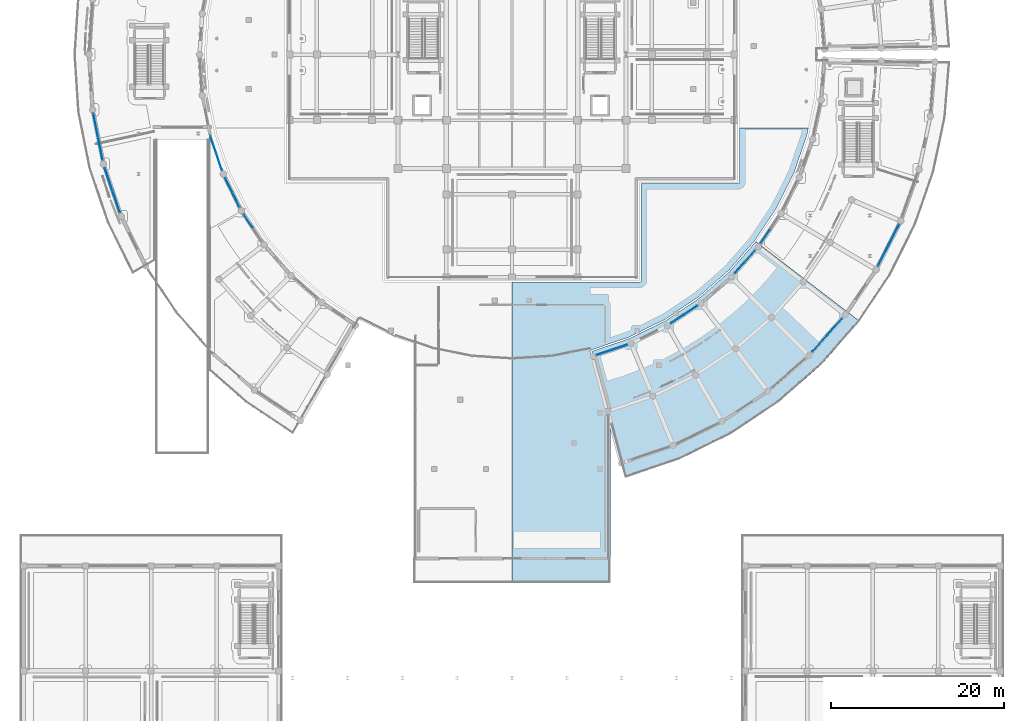
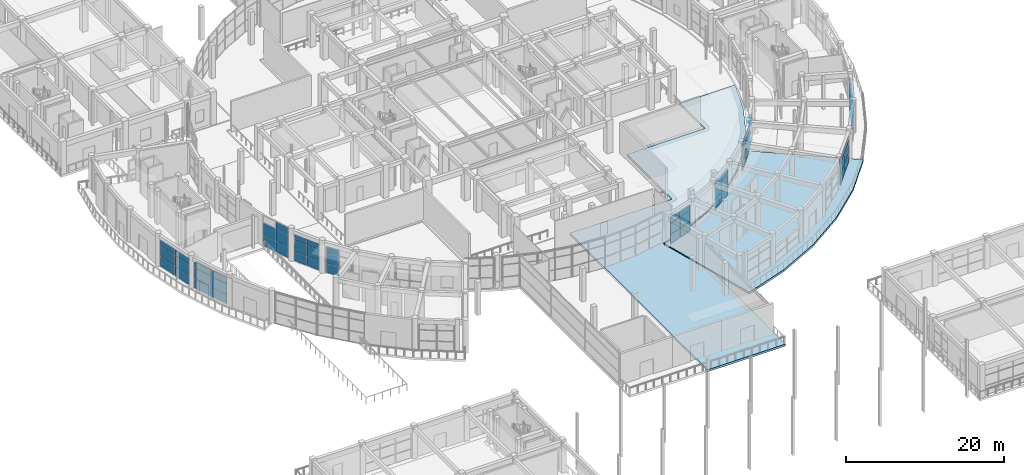
# One storey, part 57 of 99: 59 plates, 2 slabs, 11 elements without a shape of their own.
"""IFC4 building model written with IfcOpenShell, lengths in metres."""

from ifc_helpers import new_model, si_unit, direction, frame, origin, origin_2d, place, context, subcontext, project, spatial, polyline, rectangle, outline, extrude, material, layer, layer_set, type_object, element, aggregate, save


model = new_model("IFC4")

# Units and contexts
model_context = context("Model", 3, precision=1e-05, world=origin(), true_north=direction((0.0, 1.0)))
body_context = subcontext(model_context, "Body", "Model", "MODEL_VIEW")
ifc_project = project(units=[si_unit("LENGTHUNIT", "METRE"), si_unit("AREAUNIT", "SQUARE_METRE"), si_unit("VOLUMEUNIT", "CUBIC_METRE"), si_unit("PLANEANGLEUNIT", "RADIAN"), si_unit("MASSUNIT", "GRAM", prefix="KILO")], contexts=[model_context])

# Site, building, storey
site_placement = place(None, origin())
site = spatial("IfcSite", under=ifc_project, at=site_placement, CompositionType="ELEMENT")
building_placement = place(site_placement, origin())
building = spatial("IfcBuilding", under=site, at=building_placement, Name="Saryqyr Civic Hall", CompositionType="ELEMENT")
storey_placement = place(building_placement, origin())
storey = spatial("IfcBuildingStorey", under=building, at=storey_placement, Name="L00", CompositionType="ELEMENT", Elevation=0.0)

# Curtain wall, plates
ifc_material_1 = material(Name="Anodised aluminium and triple low-E glass", Category="aluminium")
curtain_wall_type_1 = type_object("IfcCurtainWallType", Name="ENV-CW-STD-04", PredefinedType="NOTDEFINED", material=ifc_material_1)
curtain_wall_1_placement = place(storey_placement, origin())
curtain_wall_1 = element("IfcCurtainWall", 1, at=curtain_wall_1_placement, inside=storey, type_object=curtain_wall_type_1, Name="Curtain wall V4-CWO-L00-03", PredefinedType="NOTDEFINED")
ifc_material_2 = material(Name="Triple low-E insulated glazing", Category="glass")
ifc_layer_1 = layer(ifc_material_2, 0.053955078125, Name="Triple low-E insulated glazing")
ifc_layer_set_1 = layer_set([ifc_layer_1], Name="Triple low-E insulated glazing")
plate_type = type_object("IfcPlateType", Name="ENV-CW-PNL-38", PredefinedType="CURTAIN_PANEL", material=ifc_layer_set_1)
plate_1_placement = place(storey_placement, frame((9.312744140625, 73.111572265625, 0.06005859375), z_axis=(0.0, 0.0, 1.0), x_axis=(-0.195103195198, 0.98078271968, 0.0)))
plate_1 = element("IfcPlate", 2, at=plate_1_placement, type_object=plate_type, Name="CW-04 panel 1.1", PredefinedType="CURTAIN_PANEL", context=body_context, shape_type="SweptSolid", body=[
    extrude(rectangle(XDim=2.691650390625, YDim=0.053955078125, at=origin_2d()), origin(), (0.0, 0.0, 1.0), 1.419921875),
])
plate_2_placement = place(storey_placement, frame((9.312744140625, 73.111572265625, 1.5400390625), z_axis=(0.0, 0.0, 1.0), x_axis=(-0.195103195198, 0.98078271968, 0.0)))
plate_2 = element("IfcPlate", 3, at=plate_2_placement, type_object=plate_type, Name="CW-04 panel 1.2", PredefinedType="CURTAIN_PANEL", context=body_context, shape_type="SweptSolid", body=[
    extrude(rectangle(XDim=2.691650390625, YDim=0.053955078125, at=origin_2d()), origin(), (0.0, 0.0, 1.0), 1.617919921875),
])
plate_3_placement = place(storey_placement, frame((9.312744140625, 73.111572265625, 3.218017578125), z_axis=(0.0, 0.0, 1.0), x_axis=(-0.195103195198, 0.98078271968, 0.0)))
plate_3 = element("IfcPlate", 4, at=plate_3_placement, type_object=plate_type, Name="CW-04 panel 1.3", PredefinedType="CURTAIN_PANEL", context=body_context, shape_type="SweptSolid", body=[
    extrude(rectangle(XDim=2.691650390625, YDim=0.053955078125, at=origin_2d()), origin(), (0.0, 0.0, 1.0), 0.9169921875),
])
plate_4_placement = place(storey_placement, frame((8.77587890625, 75.810302734375, 0.06005859375), z_axis=(0.0, 0.0, 1.0), x_axis=(-0.195103195198, 0.98078271968, 0.0)))
plate_4 = element("IfcPlate", 5, at=plate_4_placement, type_object=plate_type, Name="CW-04 panel 2.1", PredefinedType="CURTAIN_PANEL", context=body_context, shape_type="SweptSolid", body=[
    extrude(rectangle(XDim=2.691650390625, YDim=0.053955078125, at=origin_2d()), origin(), (0.0, 0.0, 1.0), 1.419921875),
])
plate_5_placement = place(storey_placement, frame((8.77587890625, 75.810302734375, 1.5400390625), z_axis=(0.0, 0.0, 1.0), x_axis=(-0.195103195198, 0.98078271968, 0.0)))
plate_5 = element("IfcPlate", 6, at=plate_5_placement, type_object=plate_type, Name="CW-04 panel 2.2", PredefinedType="CURTAIN_PANEL", context=body_context, shape_type="SweptSolid", body=[
    extrude(rectangle(XDim=2.691650390625, YDim=0.053955078125, at=origin_2d()), origin(), (0.0, 0.0, 1.0), 1.617919921875),
])
plate_6_placement = place(storey_placement, frame((8.77587890625, 75.810302734375, 3.218017578125), z_axis=(0.0, 0.0, 1.0), x_axis=(-0.195103195198, 0.98078271968, 0.0)))
plate_6 = element("IfcPlate", 7, at=plate_6_placement, type_object=plate_type, Name="CW-04 panel 2.3", PredefinedType="CURTAIN_PANEL", context=body_context, shape_type="SweptSolid", body=[
    extrude(rectangle(XDim=2.691650390625, YDim=0.053955078125, at=origin_2d()), origin(), (0.0, 0.0, 1.0), 0.9169921875),
])
aggregate(curtain_wall_1, [plate_1, plate_2, plate_3, plate_4, plate_5, plate_6])

curtain_wall_type_2 = type_object("IfcCurtainWallType", Name="ENV-CW-STD-05", PredefinedType="NOTDEFINED", material=ifc_material_1)
curtain_wall_2_placement = place(storey_placement, origin())
curtain_wall_2 = element("IfcCurtainWall", 8, at=curtain_wall_2_placement, inside=storey, type_object=curtain_wall_type_2, Name="Curtain wall V4-CWO-L00-04", PredefinedType="NOTDEFINED")
plate_7_placement = place(storey_placement, frame((11.1396484375, 66.987548828125, 0.06005859375), z_axis=(0.0, 0.0, 1.0), x_axis=(-0.321433526831, 0.946932145314, 0.0)))
plate_7 = element("IfcPlate", 9, at=plate_7_placement, type_object=plate_type, Name="CW-05 panel 1.1", PredefinedType="CURTAIN_PANEL", context=body_context, shape_type="SweptSolid", body=[
    extrude(rectangle(XDim=2.676513671875, YDim=0.053955078125, at=origin_2d()), origin(), (0.0, 0.0, 1.0), 1.419921875),
])
plate_8_placement = place(storey_placement, frame((11.1396484375, 66.987548828125, 1.5400390625), z_axis=(0.0, 0.0, 1.0), x_axis=(-0.321433526831, 0.946932145314, 0.0)))
plate_8 = element("IfcPlate", 10, at=plate_8_placement, type_object=plate_type, Name="CW-05 panel 1.2", PredefinedType="CURTAIN_PANEL", context=body_context, shape_type="SweptSolid", body=[
    extrude(rectangle(XDim=2.676513671875, YDim=0.053955078125, at=origin_2d()), origin(), (0.0, 0.0, 1.0), 1.617919921875),
])
plate_9_placement = place(storey_placement, frame((11.1396484375, 66.987548828125, 3.218017578125), z_axis=(0.0, 0.0, 1.0), x_axis=(-0.321433526831, 0.946932145314, 0.0)))
plate_9 = element("IfcPlate", 11, at=plate_9_placement, type_object=plate_type, Name="CW-05 panel 1.3", PredefinedType="CURTAIN_PANEL", context=body_context, shape_type="SweptSolid", body=[
    extrude(rectangle(XDim=2.676513671875, YDim=0.053955078125, at=origin_2d()), origin(), (0.0, 0.0, 1.0), 0.9169921875),
])
plate_10_placement = place(storey_placement, frame((10.260009765625, 69.578857421875, 0.06005859375), z_axis=(0.0, 0.0, 1.0), x_axis=(-0.321433526831, 0.946932145314, 0.0)))
plate_10 = element("IfcPlate", 12, at=plate_10_placement, type_object=plate_type, Name="CW-05 panel 2.1", PredefinedType="CURTAIN_PANEL", context=body_context, shape_type="SweptSolid", body=[
    extrude(rectangle(XDim=2.676513671875, YDim=0.053955078125, at=origin_2d()), origin(), (0.0, 0.0, 1.0), 1.419921875),
])
plate_11_placement = place(storey_placement, frame((10.260009765625, 69.578857421875, 1.5400390625), z_axis=(0.0, 0.0, 1.0), x_axis=(-0.321433526831, 0.946932145314, 0.0)))
plate_11 = element("IfcPlate", 13, at=plate_11_placement, type_object=plate_type, Name="CW-05 panel 2.2", PredefinedType="CURTAIN_PANEL", context=body_context, shape_type="SweptSolid", body=[
    extrude(rectangle(XDim=2.676513671875, YDim=0.053955078125, at=origin_2d()), origin(), (0.0, 0.0, 1.0), 1.617919921875),
])
plate_12_placement = place(storey_placement, frame((10.260009765625, 69.578857421875, 3.218017578125), z_axis=(0.0, 0.0, 1.0), x_axis=(-0.321433526831, 0.946932145314, 0.0)))
plate_12 = element("IfcPlate", 14, at=plate_12_placement, type_object=plate_type, Name="CW-05 panel 2.3", PredefinedType="CURTAIN_PANEL", context=body_context, shape_type="SweptSolid", body=[
    extrude(rectangle(XDim=2.676513671875, YDim=0.053955078125, at=origin_2d()), origin(), (0.0, 0.0, 1.0), 0.9169921875),
])
aggregate(curtain_wall_2, [plate_7, plate_8, plate_9, plate_10, plate_11, plate_12])

curtain_wall_type_3 = type_object("IfcCurtainWallType", Name="ENV-CW-STD-06", PredefinedType="NOTDEFINED", material=ifc_material_1)
curtain_wall_3_placement = place(storey_placement, origin())
curtain_wall_3 = element("IfcCurtainWall", 15, at=curtain_wall_3_placement, inside=storey, type_object=curtain_wall_type_3, Name="Curtain wall V4-CWI-L00-04", PredefinedType="NOTDEFINED")
plate_13_placement = place(storey_placement, frame((22.383544921875, 73.599365234375, 0.06005859375), z_axis=(0.0, 0.0, 1.0), x_axis=(0.321438331366, -0.946930514414, 0.0)))
plate_13 = element("IfcPlate", 16, at=plate_13_placement, type_object=plate_type, Name="CW-06 panel 1.1", PredefinedType="CURTAIN_PANEL", context=body_context, shape_type="SweptSolid", body=[
    extrude(rectangle(XDim=2.058349609375, YDim=0.053955078125, at=origin_2d()), origin(), (0.0, 0.0, 1.0), 1.6201171875),
])
plate_14_placement = place(storey_placement, frame((22.383544921875, 73.599365234375, 1.73974609375), z_axis=(0.0, 0.0, 1.0), x_axis=(0.321438331366, -0.946930514414, 0.0)))
plate_14 = element("IfcPlate", 17, at=plate_14_placement, type_object=plate_type, Name="CW-06 panel 1.2", PredefinedType="CURTAIN_PANEL", context=body_context, shape_type="SweptSolid", body=[
    extrude(rectangle(XDim=2.058349609375, YDim=0.053955078125, at=origin_2d()), origin(), (0.0, 0.0, 1.0), 1.840087890625),
])
plate_15_placement = place(storey_placement, frame((23.064697265625, 71.59326171875, 0.06005859375), z_axis=(0.0, 0.0, 1.0), x_axis=(0.321438331366, -0.946930514414, 0.0)))
plate_15 = element("IfcPlate", 18, at=plate_15_placement, type_object=plate_type, Name="CW-06 panel 2.1", PredefinedType="CURTAIN_PANEL", context=body_context, shape_type="SweptSolid", body=[
    extrude(rectangle(XDim=2.058349609375, YDim=0.053955078125, at=origin_2d()), origin(), (0.0, 0.0, 1.0), 1.6201171875),
])
plate_16_placement = place(storey_placement, frame((23.064697265625, 71.59326171875, 1.73974609375), z_axis=(0.0, 0.0, 1.0), x_axis=(0.321438331366, -0.946930514414, 0.0)))
plate_16 = element("IfcPlate", 19, at=plate_16_placement, type_object=plate_type, Name="CW-06 panel 2.2", PredefinedType="CURTAIN_PANEL", context=body_context, shape_type="SweptSolid", body=[
    extrude(rectangle(XDim=2.058349609375, YDim=0.053955078125, at=origin_2d()), origin(), (0.0, 0.0, 1.0), 1.840087890625),
])
plate_17_placement = place(storey_placement, frame((23.064697265625, 71.59326171875, 3.64013671875), z_axis=(0.0, 0.0, 1.0), x_axis=(0.321438331366, -0.946930514414, 0.0)))
plate_17 = element("IfcPlate", 20, at=plate_17_placement, type_object=plate_type, Name="CW-06 panel 2.3", PredefinedType="CURTAIN_PANEL", context=body_context, shape_type="SweptSolid", body=[
    extrude(rectangle(XDim=2.058349609375, YDim=0.053955078125, at=origin_2d()), origin(), (0.0, 0.0, 1.0), 1.050048828125),
])
aggregate(curtain_wall_3, [plate_13, plate_14, plate_15, plate_16, plate_17])

curtain_wall_type_4 = type_object("IfcCurtainWallType", Name="ENV-CW-STD-07", PredefinedType="NOTDEFINED", material=ifc_material_1)
curtain_wall_4_placement = place(storey_placement, origin())
curtain_wall_4 = element("IfcCurtainWall", 21, at=curtain_wall_4_placement, inside=storey, type_object=curtain_wall_type_4, Name="Curtain wall V4-CWI-L00-05", PredefinedType="NOTDEFINED")
plate_18_placement = place(storey_placement, frame((24.188232421875, 68.8642578125, 0.06005859375), z_axis=(0.0, 0.0, 1.0), x_axis=(0.442261536344, -0.896886131831, 0.0)))
plate_18 = element("IfcPlate", 22, at=plate_18_placement, type_object=plate_type, Name="CW-07 panel 1.1", PredefinedType="CURTAIN_PANEL", context=body_context, shape_type="SweptSolid", body=[
    extrude(rectangle(XDim=1.81494140625, YDim=0.053955078125, at=origin_2d()), origin(), (0.0, 0.0, 1.0), 1.419921875),
])
plate_19_placement = place(storey_placement, frame((24.188232421875, 68.8642578125, 1.5400390625), z_axis=(0.0, 0.0, 1.0), x_axis=(0.442261536344, -0.896886131831, 0.0)))
plate_19 = element("IfcPlate", 23, at=plate_19_placement, type_object=plate_type, Name="CW-07 panel 1.2", PredefinedType="CURTAIN_PANEL", context=body_context, shape_type="SweptSolid", body=[
    extrude(rectangle(XDim=1.81494140625, YDim=0.053955078125, at=origin_2d()), origin(), (0.0, 0.0, 1.0), 1.617919921875),
])
plate_20_placement = place(storey_placement, frame((24.188232421875, 68.8642578125, 3.218017578125), z_axis=(0.0, 0.0, 1.0), x_axis=(0.442261536344, -0.896886131831, 0.0)))
plate_20 = element("IfcPlate", 24, at=plate_20_placement, type_object=plate_type, Name="CW-07 panel 1.3", PredefinedType="CURTAIN_PANEL", context=body_context, shape_type="SweptSolid", body=[
    extrude(rectangle(XDim=1.81494140625, YDim=0.053955078125, at=origin_2d()), origin(), (0.0, 0.0, 1.0), 0.9169921875),
])
plate_21_placement = place(storey_placement, frame((25.017333984375, 67.1826171875, 0.06005859375), z_axis=(0.0, 0.0, 1.0), x_axis=(0.442261536344, -0.896886131831, 0.0)))
plate_21 = element("IfcPlate", 25, at=plate_21_placement, type_object=plate_type, Name="CW-07 panel 2.1", PredefinedType="CURTAIN_PANEL", context=body_context, shape_type="SweptSolid", body=[
    extrude(rectangle(XDim=1.81494140625, YDim=0.053955078125, at=origin_2d()), origin(), (0.0, 0.0, 1.0), 1.419921875),
])
plate_22_placement = place(storey_placement, frame((25.017333984375, 67.1826171875, 1.5400390625), z_axis=(0.0, 0.0, 1.0), x_axis=(0.442261536344, -0.896886131831, 0.0)))
plate_22 = element("IfcPlate", 26, at=plate_22_placement, type_object=plate_type, Name="CW-07 panel 2.2", PredefinedType="CURTAIN_PANEL", context=body_context, shape_type="SweptSolid", body=[
    extrude(rectangle(XDim=1.81494140625, YDim=0.053955078125, at=origin_2d()), origin(), (0.0, 0.0, 1.0), 1.617919921875),
])
plate_23_placement = place(storey_placement, frame((25.017333984375, 67.1826171875, 3.218017578125), z_axis=(0.0, 0.0, 1.0), x_axis=(0.442261536344, -0.896886131831, 0.0)))
plate_23 = element("IfcPlate", 27, at=plate_23_placement, type_object=plate_type, Name="CW-07 panel 2.3", PredefinedType="CURTAIN_PANEL", context=body_context, shape_type="SweptSolid", body=[
    extrude(rectangle(XDim=1.81494140625, YDim=0.053955078125, at=origin_2d()), origin(), (0.0, 0.0, 1.0), 0.9169921875),
])
aggregate(curtain_wall_4, [plate_18, plate_19, plate_20, plate_21, plate_22, plate_23])

curtain_wall_type_5 = type_object("IfcCurtainWallType", Name="ENV-CW-STD-09", PredefinedType="NOTDEFINED", material=ifc_material_1)
curtain_wall_5_placement = place(storey_placement, origin())
curtain_wall_5 = element("IfcCurtainWall", 28, at=curtain_wall_5_placement, inside=storey, type_object=curtain_wall_type_5, Name="Curtain wall V4-CWI-L00-06", PredefinedType="NOTDEFINED")
plate_24_placement = place(storey_placement, frame((26.45458984375, 64.69580078125, 0.06005859375), z_axis=(0.0, 0.0, 1.0), x_axis=(0.555558270106, -0.831477605541, 0.0)))
plate_24 = element("IfcPlate", 29, at=plate_24_placement, type_object=plate_type, Name="CW-09 panel 1.1", PredefinedType="CURTAIN_PANEL", context=body_context, shape_type="SweptSolid", body=[
    extrude(rectangle(XDim=1.778564453125, YDim=0.053955078125, at=origin_2d()), origin(), (0.0, 0.0, 1.0), 1.419921875),
])
plate_25_placement = place(storey_placement, frame((26.45458984375, 64.69580078125, 1.5400390625), z_axis=(0.0, 0.0, 1.0), x_axis=(0.555558270106, -0.831477605541, 0.0)))
plate_25 = element("IfcPlate", 30, at=plate_25_placement, type_object=plate_type, Name="CW-09 panel 1.2", PredefinedType="CURTAIN_PANEL", context=body_context, shape_type="SweptSolid", body=[
    extrude(rectangle(XDim=1.778564453125, YDim=0.053955078125, at=origin_2d()), origin(), (0.0, 0.0, 1.0), 1.617919921875),
])
plate_26_placement = place(storey_placement, frame((26.45458984375, 64.69580078125, 3.218017578125), z_axis=(0.0, 0.0, 1.0), x_axis=(0.555558270106, -0.831477605541, 0.0)))
plate_26 = element("IfcPlate", 31, at=plate_26_placement, type_object=plate_type, Name="CW-09 panel 1.3", PredefinedType="CURTAIN_PANEL", context=body_context, shape_type="SweptSolid", body=[
    extrude(rectangle(XDim=1.778564453125, YDim=0.053955078125, at=origin_2d()), origin(), (0.0, 0.0, 1.0), 0.9169921875),
])
aggregate(curtain_wall_5, [plate_24, plate_25, plate_26])

curtain_wall_6_placement = place(storey_placement, origin())
curtain_wall_6 = element("IfcCurtainWall", 32, at=curtain_wall_6_placement, inside=storey, type_object=curtain_wall_type_4, Name="Curtain wall V5-CWI-L00-00", PredefinedType="NOTDEFINED")
plate_27_placement = place(storey_placement, frame((67.697998046875, 49.4833984375, 0.06005859375), z_axis=(0.0, 0.0, 1.0), x_axis=(0.947204286337, 0.320630690896, 0.0)))
plate_27 = element("IfcPlate", 33, at=plate_27_placement, type_object=plate_type, Name="CW-07 panel 1.1", PredefinedType="CURTAIN_PANEL", context=body_context, shape_type="SweptSolid", body=[
    extrude(rectangle(XDim=1.8095703125, YDim=0.053955078125, at=origin_2d()), origin(), (0.0, 0.0, 1.0), 1.419921875),
])
plate_28_placement = place(storey_placement, frame((67.697998046875, 49.4833984375, 1.5400390625), z_axis=(0.0, 0.0, 1.0), x_axis=(0.947204286337, 0.320630690896, 0.0)))
plate_28 = element("IfcPlate", 34, at=plate_28_placement, type_object=plate_type, Name="CW-07 panel 1.2", PredefinedType="CURTAIN_PANEL", context=body_context, shape_type="SweptSolid", body=[
    extrude(rectangle(XDim=1.8095703125, YDim=0.053955078125, at=origin_2d()), origin(), (0.0, 0.0, 1.0), 1.617919921875),
])
plate_29_placement = place(storey_placement, frame((67.697998046875, 49.4833984375, 3.218017578125), z_axis=(0.0, 0.0, 1.0), x_axis=(0.947204286337, 0.320630690896, 0.0)))
plate_29 = element("IfcPlate", 35, at=plate_29_placement, type_object=plate_type, Name="CW-07 panel 1.3", PredefinedType="CURTAIN_PANEL", context=body_context, shape_type="SweptSolid", body=[
    extrude(rectangle(XDim=1.8095703125, YDim=0.053955078125, at=origin_2d()), origin(), (0.0, 0.0, 1.0), 0.9169921875),
])
plate_30_placement = place(storey_placement, frame((69.46875, 50.082763671875, 0.06005859375), z_axis=(0.0, 0.0, 1.0), x_axis=(0.947204286337, 0.320630690896, 0.0)))
plate_30 = element("IfcPlate", 36, at=plate_30_placement, type_object=plate_type, Name="CW-07 panel 2.1", PredefinedType="CURTAIN_PANEL", context=body_context, shape_type="SweptSolid", body=[
    extrude(rectangle(XDim=1.8095703125, YDim=0.053955078125, at=origin_2d()), origin(), (0.0, 0.0, 1.0), 1.419921875),
])
plate_31_placement = place(storey_placement, frame((69.46875, 50.082763671875, 1.5400390625), z_axis=(0.0, 0.0, 1.0), x_axis=(0.947204286337, 0.320630690896, 0.0)))
plate_31 = element("IfcPlate", 37, at=plate_31_placement, type_object=plate_type, Name="CW-07 panel 2.2", PredefinedType="CURTAIN_PANEL", context=body_context, shape_type="SweptSolid", body=[
    extrude(rectangle(XDim=1.8095703125, YDim=0.053955078125, at=origin_2d()), origin(), (0.0, 0.0, 1.0), 1.617919921875),
])
plate_32_placement = place(storey_placement, frame((69.46875, 50.082763671875, 3.218017578125), z_axis=(0.0, 0.0, 1.0), x_axis=(0.947204286337, 0.320630690896, 0.0)))
plate_32 = element("IfcPlate", 38, at=plate_32_placement, type_object=plate_type, Name="CW-07 panel 2.3", PredefinedType="CURTAIN_PANEL", context=body_context, shape_type="SweptSolid", body=[
    extrude(rectangle(XDim=1.8095703125, YDim=0.053955078125, at=origin_2d()), origin(), (0.0, 0.0, 1.0), 0.9169921875),
])
aggregate(curtain_wall_6, [plate_27, plate_28, plate_29, plate_30, plate_31, plate_32])

curtain_wall_7_placement = place(storey_placement, origin())
curtain_wall_7 = element("IfcCurtainWall", 39, at=curtain_wall_7_placement, inside=storey, type_object=curtain_wall_type_5, Name="Curtain wall V5-CWI-L00-02", PredefinedType="NOTDEFINED")
plate_33_placement = place(storey_placement, frame((76.1904296875, 53.381103515625, 0.06005859375), z_axis=(0.0, 0.0, 1.0), x_axis=(0.83376461572, 0.552120064455, 0.0)))
plate_33 = element("IfcPlate", 40, at=plate_33_placement, type_object=plate_type, Name="CW-09 panel 1.1", PredefinedType="CURTAIN_PANEL", context=body_context, shape_type="SweptSolid", body=[
    extrude(rectangle(XDim=1.75, YDim=0.053955078125, at=origin_2d()), origin(), (0.0, 0.0, 1.0), 1.419921875),
])
plate_34_placement = place(storey_placement, frame((76.1904296875, 53.381103515625, 1.5400390625), z_axis=(0.0, 0.0, 1.0), x_axis=(0.83376461572, 0.552120064455, 0.0)))
plate_34 = element("IfcPlate", 41, at=plate_34_placement, type_object=plate_type, Name="CW-09 panel 1.2", PredefinedType="CURTAIN_PANEL", context=body_context, shape_type="SweptSolid", body=[
    extrude(rectangle(XDim=1.75, YDim=0.053955078125, at=origin_2d()), origin(), (0.0, 0.0, 1.0), 1.617919921875),
])
plate_35_placement = place(storey_placement, frame((76.1904296875, 53.381103515625, 3.218017578125), z_axis=(0.0, 0.0, 1.0), x_axis=(0.83376461572, 0.552120064455, 0.0)))
plate_35 = element("IfcPlate", 42, at=plate_35_placement, type_object=plate_type, Name="CW-09 panel 1.3", PredefinedType="CURTAIN_PANEL", context=body_context, shape_type="SweptSolid", body=[
    extrude(rectangle(XDim=1.75, YDim=0.053955078125, at=origin_2d()), origin(), (0.0, 0.0, 1.0), 0.9169921875),
])
plate_36_placement = place(storey_placement, frame((77.699462890625, 54.38037109375, 0.06005859375), z_axis=(0.0, 0.0, 1.0), x_axis=(0.83376461572, 0.552120064455, 0.0)))
plate_36 = element("IfcPlate", 43, at=plate_36_placement, type_object=plate_type, Name="CW-09 panel 2.1", PredefinedType="CURTAIN_PANEL", context=body_context, shape_type="SweptSolid", body=[
    extrude(rectangle(XDim=1.75, YDim=0.053955078125, at=origin_2d()), origin(), (0.0, 0.0, 1.0), 1.419921875),
])
plate_37_placement = place(storey_placement, frame((77.699462890625, 54.38037109375, 1.5400390625), z_axis=(0.0, 0.0, 1.0), x_axis=(0.83376461572, 0.552120064455, 0.0)))
plate_37 = element("IfcPlate", 44, at=plate_37_placement, type_object=plate_type, Name="CW-09 panel 2.2", PredefinedType="CURTAIN_PANEL", context=body_context, shape_type="SweptSolid", body=[
    extrude(rectangle(XDim=1.75, YDim=0.053955078125, at=origin_2d()), origin(), (0.0, 0.0, 1.0), 1.617919921875),
])
plate_38_placement = place(storey_placement, frame((77.699462890625, 54.38037109375, 3.218017578125), z_axis=(0.0, 0.0, 1.0), x_axis=(0.83376461572, 0.552120064455, 0.0)))
plate_38 = element("IfcPlate", 45, at=plate_38_placement, type_object=plate_type, Name="CW-09 panel 2.3", PredefinedType="CURTAIN_PANEL", context=body_context, shape_type="SweptSolid", body=[
    extrude(rectangle(XDim=1.75, YDim=0.053955078125, at=origin_2d()), origin(), (0.0, 0.0, 1.0), 0.9169921875),
])
aggregate(curtain_wall_7, [plate_33, plate_34, plate_35, plate_36, plate_37, plate_38])

curtain_wall_type_6 = type_object("IfcCurtainWallType", Name="ENV-CW-STD-34", PredefinedType="NOTDEFINED", material=ifc_material_1)
curtain_wall_8_placement = place(storey_placement, origin())
curtain_wall_8 = element("IfcCurtainWall", 46, at=curtain_wall_8_placement, inside=storey, type_object=curtain_wall_type_6, Name="Curtain wall V5-CWO-L00-04", PredefinedType="NOTDEFINED")
plate_39_placement = place(storey_placement, frame((94.37890625, 52.448974609375, 0.06005859375), z_axis=(0.0, 0.0, 1.0), x_axis=(-0.66492757673, -0.74690783749, 0.0)))
plate_39 = element("IfcPlate", 47, at=plate_39_placement, type_object=plate_type, Name="CW-34 panel 1.1", PredefinedType="CURTAIN_PANEL", context=body_context, shape_type="SweptSolid", body=[
    extrude(rectangle(XDim=2.5185546875, YDim=0.053955078125, at=origin_2d()), origin(), (0.0, 0.0, 1.0), 1.419921875),
])
plate_40_placement = place(storey_placement, frame((94.37890625, 52.448974609375, 1.5400390625), z_axis=(0.0, 0.0, 1.0), x_axis=(-0.66492757673, -0.74690783749, 0.0)))
plate_40 = element("IfcPlate", 48, at=plate_40_placement, type_object=plate_type, Name="CW-34 panel 1.2", PredefinedType="CURTAIN_PANEL", context=body_context, shape_type="SweptSolid", body=[
    extrude(rectangle(XDim=2.5185546875, YDim=0.053955078125, at=origin_2d()), origin(), (0.0, 0.0, 1.0), 1.617919921875),
])
plate_41_placement = place(storey_placement, frame((94.37890625, 52.448974609375, 3.218017578125), z_axis=(0.0, 0.0, 1.0), x_axis=(-0.66492757673, -0.74690783749, 0.0)))
plate_41 = element("IfcPlate", 49, at=plate_41_placement, type_object=plate_type, Name="CW-34 panel 1.3", PredefinedType="CURTAIN_PANEL", context=body_context, shape_type="SweptSolid", body=[
    extrude(rectangle(XDim=2.5185546875, YDim=0.053955078125, at=origin_2d()), origin(), (0.0, 0.0, 1.0), 0.9169921875),
])
plate_42_placement = place(storey_placement, frame((92.664306640625, 50.523193359375, 0.06005859375), z_axis=(0.0, 0.0, 1.0), x_axis=(-0.66492757673, -0.74690783749, 0.0)))
plate_42 = element("IfcPlate", 50, at=plate_42_placement, type_object=plate_type, Name="CW-34 panel 2.1", PredefinedType="CURTAIN_PANEL", context=body_context, shape_type="SweptSolid", body=[
    extrude(rectangle(XDim=2.5185546875, YDim=0.053955078125, at=origin_2d()), origin(), (0.0, 0.0, 1.0), 1.419921875),
])
plate_43_placement = place(storey_placement, frame((92.664306640625, 50.523193359375, 1.5400390625), z_axis=(0.0, 0.0, 1.0), x_axis=(-0.66492757673, -0.74690783749, 0.0)))
plate_43 = element("IfcPlate", 51, at=plate_43_placement, type_object=plate_type, Name="CW-34 panel 2.2", PredefinedType="CURTAIN_PANEL", context=body_context, shape_type="SweptSolid", body=[
    extrude(rectangle(XDim=2.5185546875, YDim=0.053955078125, at=origin_2d()), origin(), (0.0, 0.0, 1.0), 1.617919921875),
])
plate_44_placement = place(storey_placement, frame((92.664306640625, 50.523193359375, 3.218017578125), z_axis=(0.0, 0.0, 1.0), x_axis=(-0.66492757673, -0.74690783749, 0.0)))
plate_44 = element("IfcPlate", 52, at=plate_44_placement, type_object=plate_type, Name="CW-34 panel 2.3", PredefinedType="CURTAIN_PANEL", context=body_context, shape_type="SweptSolid", body=[
    extrude(rectangle(XDim=2.5185546875, YDim=0.053955078125, at=origin_2d()), origin(), (0.0, 0.0, 1.0), 0.9169921875),
])
aggregate(curtain_wall_8, [plate_39, plate_40, plate_41, plate_42, plate_43, plate_44])

curtain_wall_type_7 = type_object("IfcCurtainWallType", Name="ENV-CW-STD-11", PredefinedType="NOTDEFINED", material=ifc_material_1)
curtain_wall_9_placement = place(storey_placement, origin())
curtain_wall_9 = element("IfcCurtainWall", 53, at=curtain_wall_9_placement, inside=storey, type_object=curtain_wall_type_7, Name="Curtain wall V5-CWI-L00-04", PredefinedType="NOTDEFINED")
plate_45_placement = place(storey_placement, frame((83.39892578125, 59.3251953125, 0.06005859375), z_axis=(0.0, 0.0, 1.0), x_axis=(0.664924429833, 0.746910638973, 0.0)))
plate_45 = element("IfcPlate", 54, at=plate_45_placement, type_object=plate_type, Name="CW-11 panel 1.1", PredefinedType="CURTAIN_PANEL", context=body_context, shape_type="SweptSolid", body=[
    extrude(rectangle(XDim=1.69189453125, YDim=0.053955078125, at=origin_2d()), origin(), (0.0, 0.0, 1.0), 1.419921875),
])
plate_46_placement = place(storey_placement, frame((83.39892578125, 59.3251953125, 1.5400390625), z_axis=(0.0, 0.0, 1.0), x_axis=(0.664924429833, 0.746910638973, 0.0)))
plate_46 = element("IfcPlate", 55, at=plate_46_placement, type_object=plate_type, Name="CW-11 panel 1.2", PredefinedType="CURTAIN_PANEL", context=body_context, shape_type="SweptSolid", body=[
    extrude(rectangle(XDim=1.69189453125, YDim=0.053955078125, at=origin_2d()), origin(), (0.0, 0.0, 1.0), 1.617919921875),
])
plate_47_placement = place(storey_placement, frame((83.39892578125, 59.3251953125, 3.218017578125), z_axis=(0.0, 0.0, 1.0), x_axis=(0.664924429833, 0.746910638973, 0.0)))
plate_47 = element("IfcPlate", 56, at=plate_47_placement, type_object=plate_type, Name="CW-11 panel 1.3", PredefinedType="CURTAIN_PANEL", context=body_context, shape_type="SweptSolid", body=[
    extrude(rectangle(XDim=1.69189453125, YDim=0.053955078125, at=origin_2d()), origin(), (0.0, 0.0, 1.0), 0.9169921875),
])
plate_48_placement = place(storey_placement, frame((84.563720703125, 60.6337890625, 0.06005859375), z_axis=(0.0, 0.0, 1.0), x_axis=(0.664924429833, 0.746910638973, 0.0)))
plate_48 = element("IfcPlate", 57, at=plate_48_placement, type_object=plate_type, Name="CW-11 panel 2.1", PredefinedType="CURTAIN_PANEL", context=body_context, shape_type="SweptSolid", body=[
    extrude(rectangle(XDim=1.69189453125, YDim=0.053955078125, at=origin_2d()), origin(), (0.0, 0.0, 1.0), 1.419921875),
])
plate_49_placement = place(storey_placement, frame((84.563720703125, 60.6337890625, 1.5400390625), z_axis=(0.0, 0.0, 1.0), x_axis=(0.664924429833, 0.746910638973, 0.0)))
plate_49 = element("IfcPlate", 58, at=plate_49_placement, type_object=plate_type, Name="CW-11 panel 2.2", PredefinedType="CURTAIN_PANEL", context=body_context, shape_type="SweptSolid", body=[
    extrude(rectangle(XDim=1.69189453125, YDim=0.053955078125, at=origin_2d()), origin(), (0.0, 0.0, 1.0), 1.617919921875),
])
plate_50_placement = place(storey_placement, frame((84.563720703125, 60.6337890625, 3.218017578125), z_axis=(0.0, 0.0, 1.0), x_axis=(0.664924429833, 0.746910638973, 0.0)))
plate_50 = element("IfcPlate", 59, at=plate_50_placement, type_object=plate_type, Name="CW-11 panel 2.3", PredefinedType="CURTAIN_PANEL", context=body_context, shape_type="SweptSolid", body=[
    extrude(rectangle(XDim=1.69189453125, YDim=0.053955078125, at=origin_2d()), origin(), (0.0, 0.0, 1.0), 0.9169921875),
])
aggregate(curtain_wall_9, [plate_45, plate_46, plate_47, plate_48, plate_49, plate_50])

curtain_wall_10_placement = place(storey_placement, origin())
curtain_wall_10 = element("IfcCurtainWall", 60, at=curtain_wall_10_placement, inside=storey, type_object=curtain_wall_type_5, Name="Curtain wall V5-CWI-L00-05", PredefinedType="NOTDEFINED")
plate_51_placement = place(storey_placement, frame((86.34375, 62.911376953125, 0.06005859375), z_axis=(0.0, 0.0, 1.0), x_axis=(0.563133092967, 0.826366213979, 0.0)))
plate_51 = element("IfcPlate", 61, at=plate_51_placement, type_object=plate_type, Name="CW-09 panel 1.1", PredefinedType="CURTAIN_PANEL", context=body_context, shape_type="SweptSolid", body=[
    extrude(rectangle(XDim=1.745361328125, YDim=0.053955078125, at=origin_2d()), origin(), (0.0, 0.0, 1.0), 1.419921875),
])
plate_52_placement = place(storey_placement, frame((86.34375, 62.911376953125, 1.5400390625), z_axis=(0.0, 0.0, 1.0), x_axis=(0.563133092967, 0.826366213979, 0.0)))
plate_52 = element("IfcPlate", 62, at=plate_52_placement, type_object=plate_type, Name="CW-09 panel 1.2", PredefinedType="CURTAIN_PANEL", context=body_context, shape_type="SweptSolid", body=[
    extrude(rectangle(XDim=1.745361328125, YDim=0.053955078125, at=origin_2d()), origin(), (0.0, 0.0, 1.0), 1.617919921875),
])
plate_53_placement = place(storey_placement, frame((86.34375, 62.911376953125, 3.218017578125), z_axis=(0.0, 0.0, 1.0), x_axis=(0.563133092967, 0.826366213979, 0.0)))
plate_53 = element("IfcPlate", 63, at=plate_53_placement, type_object=plate_type, Name="CW-09 panel 1.3", PredefinedType="CURTAIN_PANEL", context=body_context, shape_type="SweptSolid", body=[
    extrude(rectangle(XDim=1.745361328125, YDim=0.053955078125, at=origin_2d()), origin(), (0.0, 0.0, 1.0), 0.9169921875),
])
aggregate(curtain_wall_10, [plate_51, plate_52, plate_53])

curtain_wall_type_8 = type_object("IfcCurtainWallType", Name="ENV-CW-STD-35", PredefinedType="NOTDEFINED", material=ifc_material_1)
curtain_wall_11_placement = place(storey_placement, origin())
curtain_wall_11 = element("IfcCurtainWall", 64, at=curtain_wall_11_placement, inside=storey, type_object=curtain_wall_type_8, Name="Curtain wall V5-CWO-L00-06", PredefinedType="NOTDEFINED")
plate_54_placement = place(storey_placement, frame((101.222412109375, 63.09228515625, 0.06005859375), z_axis=(0.0, 0.0, 1.0), x_axis=(-0.451942386625, -0.892047128335, 0.0)))
plate_54 = element("IfcPlate", 65, at=plate_54_placement, type_object=plate_type, Name="CW-35 panel 1.1", PredefinedType="CURTAIN_PANEL", context=body_context, shape_type="SweptSolid", body=[
    extrude(rectangle(XDim=2.609130859375, YDim=0.053955078125, at=origin_2d()), origin(), (0.0, 0.0, 1.0), 1.419921875),
])
plate_55_placement = place(storey_placement, frame((101.222412109375, 63.09228515625, 1.5400390625), z_axis=(0.0, 0.0, 1.0), x_axis=(-0.451942386625, -0.892047128335, 0.0)))
plate_55 = element("IfcPlate", 66, at=plate_55_placement, type_object=plate_type, Name="CW-35 panel 1.2", PredefinedType="CURTAIN_PANEL", context=body_context, shape_type="SweptSolid", body=[
    extrude(rectangle(XDim=2.609130859375, YDim=0.053955078125, at=origin_2d()), origin(), (0.0, 0.0, 1.0), 1.617919921875),
])
plate_56_placement = place(storey_placement, frame((101.222412109375, 63.09228515625, 3.218017578125), z_axis=(0.0, 0.0, 1.0), x_axis=(-0.451942386625, -0.892047128335, 0.0)))
plate_56 = element("IfcPlate", 67, at=plate_56_placement, type_object=plate_type, Name="CW-35 panel 1.3", PredefinedType="CURTAIN_PANEL", context=body_context, shape_type="SweptSolid", body=[
    extrude(rectangle(XDim=2.609130859375, YDim=0.053955078125, at=origin_2d()), origin(), (0.0, 0.0, 1.0), 0.9169921875),
])
plate_57_placement = place(storey_placement, frame((100.016357421875, 60.71142578125, 0.06005859375), z_axis=(0.0, 0.0, 1.0), x_axis=(-0.451942386625, -0.892047128335, 0.0)))
plate_57 = element("IfcPlate", 68, at=plate_57_placement, type_object=plate_type, Name="CW-35 panel 2.1", PredefinedType="CURTAIN_PANEL", context=body_context, shape_type="SweptSolid", body=[
    extrude(rectangle(XDim=2.609130859375, YDim=0.053955078125, at=origin_2d()), origin(), (0.0, 0.0, 1.0), 1.419921875),
])
plate_58_placement = place(storey_placement, frame((100.016357421875, 60.71142578125, 1.5400390625), z_axis=(0.0, 0.0, 1.0), x_axis=(-0.451942386625, -0.892047128335, 0.0)))
plate_58 = element("IfcPlate", 69, at=plate_58_placement, type_object=plate_type, Name="CW-35 panel 2.2", PredefinedType="CURTAIN_PANEL", context=body_context, shape_type="SweptSolid", body=[
    extrude(rectangle(XDim=2.609130859375, YDim=0.053955078125, at=origin_2d()), origin(), (0.0, 0.0, 1.0), 1.617919921875),
])
plate_59_placement = place(storey_placement, frame((100.016357421875, 60.71142578125, 3.218017578125), z_axis=(0.0, 0.0, 1.0), x_axis=(-0.451942386625, -0.892047128335, 0.0)))
plate_59 = element("IfcPlate", 70, at=plate_59_placement, type_object=plate_type, Name="CW-35 panel 2.3", PredefinedType="CURTAIN_PANEL", context=body_context, shape_type="SweptSolid", body=[
    extrude(rectangle(XDim=2.609130859375, YDim=0.053955078125, at=origin_2d()), origin(), (0.0, 0.0, 1.0), 0.9169921875),
])
aggregate(curtain_wall_11, [plate_54, plate_55, plate_56, plate_57, plate_58, plate_59])

# Slabs
ifc_material_3 = material(Name="Concrete C40/50", Category="concrete")
ifc_layer_2 = layer(ifc_material_3, 0.320068359375, Name="Concrete C40/50")
ifc_layer_set_2 = layer_set([ifc_layer_2], Name="Concrete C40/50")
slab_type = type_object("IfcSlabType", Name="STR-SLB-FLR-320", PredefinedType="FLOOR", material=ifc_layer_set_2)
slab_1_placement = place(storey_placement, frame((0.0, 0.0, -0.320068359375)))
element("IfcSlab", 71, at=slab_1_placement, inside=storey, type_object=slab_type, Name="Slab SLB-V5A-L00", PredefinedType="FLOOR", context=body_context, shape_type="SweptSolid", body=[
    extrude(outline(polyline([(70.62353515625, 51.10986328125), (74.800048828125, 53.16943359375), (78.671875, 55.756591796875), (82.173095703125, 58.826904296875), (85.243408203125, 62.328125), (97.2626953125, 53.10546875), (92.8857421875, 48.1142578125), (87.89453125, 43.7373046875), (82.375, 40.04931640625), (76.421142578125, 37.113037109375), (70.135009765625, 34.979248046875), (66.214111328125, 49.613037109375), (70.62353515625, 51.10986328125)])), origin(), (0.0, 0.0, 1.0), 0.320068359375),
])
slab_2_placement = place(storey_placement, frame((0.0, 0.0, -0.320068359375)))
element("IfcSlab", 72, at=slab_2_placement, inside=storey, type_object=slab_type, Name="Slab SLB-V2SE-L00", PredefinedType="FLOOR", context=body_context, shape_type="SweptSolid", body=[
    extrude(outline(polyline([(91.175537109375, 74.66015625), (89.689697265625, 70.330810546875), (87.658203125, 66.2294921875), (85.1162109375, 62.42578125), (82.0595703125, 58.9404296875), (78.57421875, 55.8837890625), (74.7197265625, 53.308349609375), (70.56201171875, 51.258056640625), (66.16259765625, 49.764404296875), (66.0693359375, 49.68115234375), (66.0595703125, 49.571533203125), (68.39990234375, 40.836669921875), (68.39990234375, 22.800048828125), (57.0, 22.800048828125), (57.0, 57.639892578125), (71.861083984375, 57.652099609375), (71.93310546875, 57.711181640625), (71.9599609375, 57.800048828125), (71.9599609375, 69.0400390625), (83.275390625, 69.058837890625), (83.3330078125, 69.111083984375), (83.360107421875, 69.199951171875), (83.360107421875, 75.5), (91.352783203125, 75.5), (91.175537109375, 74.66015625)])), origin(), (0.0, 0.0, 1.0), 0.320068359375),
])

save(model, "model.ifc")
